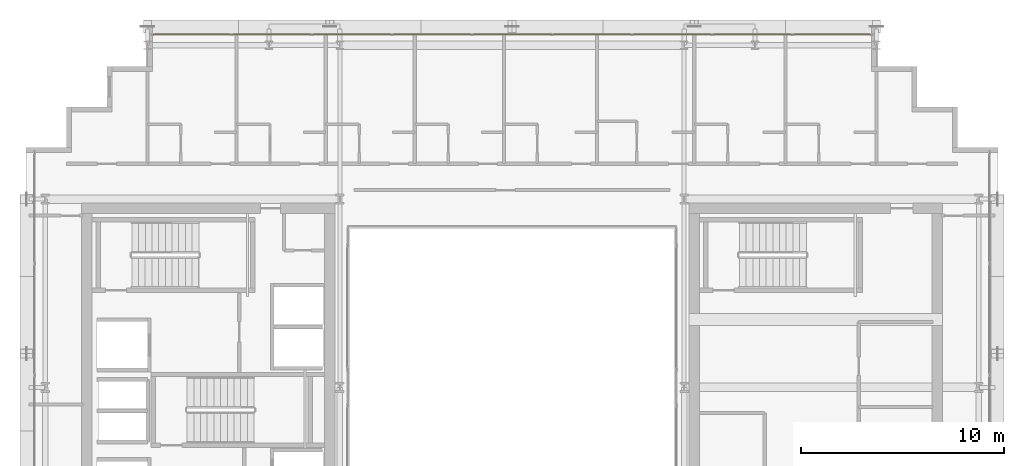
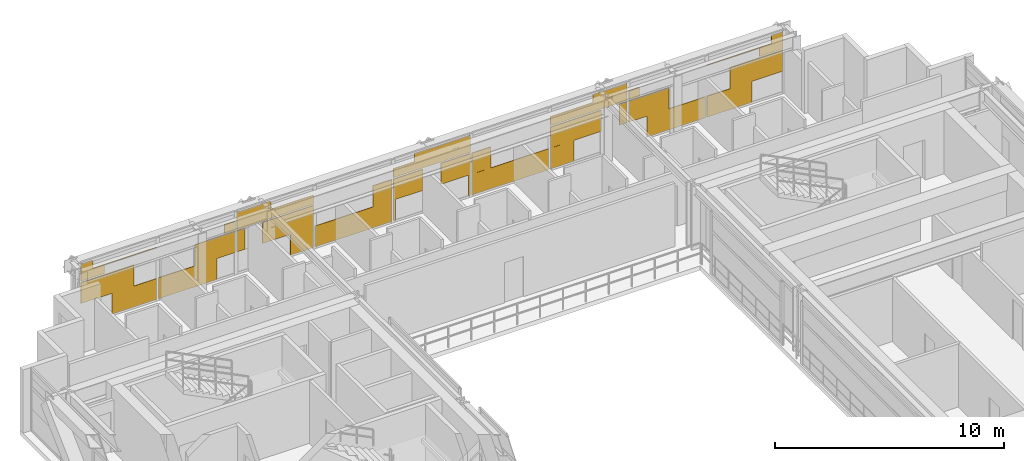
# One storey, part 38 of 38: 1 covering.
"""IFC4 building model written with IfcOpenShell, lengths in metres."""

import ifcopenshell
import ifcopenshell.guid

model = None  # the IFC model being written
_history = None  # IfcOwnerHistory: only IFC2X3 demands one
_inside = {}  # id of a spatial element -> (the spatial element, [elements in it])
_under = {}  # id of a project, library or spatial element -> (it, [spatial elements below it])
_declared = {}  # id of a project -> (the project, [libraries it declares])
_typed = {}  # id of a type object -> (the type object, [elements of that type])
_made_of = {}  # id of a material, layer set ... -> (it, [elements and type objects made of it])


def new_model(schema):
    """Start an empty IFC model of exactly this schema.

    Asked for "IFC4X3", IfcOpenShell would pick the latest addendum, in which some entities
    have other attributes; the version numbers below select the first issue.
    IFC2X3 requires an IfcOwnerHistory on every rooted entity: one is made here for all.
    """
    global model, _history
    if schema == "IFC4X3":
        model = ifcopenshell.file(schema_version=(4, 3, 0, 0))
    else:
        model = ifcopenshell.file(schema=schema)
    _inside.clear()
    _under.clear()
    _declared.clear()
    _typed.clear()
    _made_of.clear()
    _history = None
    if model.schema == "IFC2X3":
        org = make("IfcOrganization", Name="unknown")
        user = make(
            "IfcPersonAndOrganization",
            ThePerson=make("IfcPerson", FamilyName="unknown"),
            TheOrganization=org,
        )
        app = make(
            "IfcApplication",
            ApplicationDeveloper=org,
            Version="unknown",
            ApplicationFullName="unknown",
            ApplicationIdentifier="unknown",
        )
        _history = make(
            "IfcOwnerHistory",
            OwningUser=user,
            OwningApplication=app,
            ChangeAction="ADDED",
            CreationDate=0,
        )
    return model


def make(cls, **values):
    """One entity of the class cls with the attributes given. An attribute that is None is left unset."""
    return model.create_entity(
        cls, **{name: value for name, value in values.items() if value is not None}
    )


def rooted(cls, **values):
    """An entity with a GlobalId (a new one), such as an element, a storey or a relation."""
    return make(cls, GlobalId=ifcopenshell.guid.new(), OwnerHistory=_history, **values)


def si_unit(unit_type, name, prefix=None):
    """IfcSIUnit, for example si_unit("LENGTHUNIT", "METRE", prefix="MILLI")."""
    return make("IfcSIUnit", UnitType=unit_type, Prefix=prefix, Name=name)


def assignment(units):
    """IfcUnitAssignment: the units of a project."""
    return None if units is None else make("IfcUnitAssignment", Units=units)


def point(xyz):
    """IfcCartesianPoint."""
    return None if xyz is None else make("IfcCartesianPoint", Coordinates=xyz)


def direction(xyz):
    """IfcDirection."""
    return None if xyz is None else make("IfcDirection", DirectionRatios=xyz)


def frame(location, z_axis=None, x_axis=None):
    """IfcAxis2Placement3D, a coordinate frame: its origin and axes. An axis left out is left unset."""
    return make(
        "IfcAxis2Placement3D",
        Location=point(location),
        Axis=direction(z_axis),
        RefDirection=direction(x_axis),
    )


def frame_2d(location, x_axis=None):
    """IfcAxis2Placement2D, a coordinate frame in the plane: its origin and x axis."""
    return make(
        "IfcAxis2Placement2D", Location=point(location), RefDirection=direction(x_axis)
    )


def origin():
    """The frame at (0, 0, 0) with its axes left unset."""
    return frame((0.0, 0.0, 0.0))


def origin_2d():
    """The frame at (0, 0) in the plane with its x axis left unset."""
    return frame_2d((0.0, 0.0))


def place(relative_to, where):
    """IfcLocalPlacement: puts the frame where relative to a parent placement (None: the world)."""
    return make(
        "IfcLocalPlacement", PlacementRelTo=relative_to, RelativePlacement=where
    )


def context(
    kind, dimensions, precision=None, world=None, true_north=None, identifier=None
):
    """IfcGeometricRepresentationContext, for example the 3D "Model" context."""
    return make(
        "IfcGeometricRepresentationContext",
        ContextIdentifier=identifier,
        ContextType=kind,
        CoordinateSpaceDimension=dimensions,
        Precision=precision,
        WorldCoordinateSystem=world,
        TrueNorth=true_north,
    )


def subcontext(parent, identifier, kind, view, scale=None):
    """IfcGeometricRepresentationSubContext, for example "Body" below "Model"."""
    return make(
        "IfcGeometricRepresentationSubContext",
        ContextIdentifier=identifier,
        ContextType=kind,
        ParentContext=parent,
        TargetScale=scale,
        TargetView=view,
    )


def project(units=None, contexts=None):
    """IfcProject with its units and contexts."""
    return rooted(
        "IfcProject",
        Name="project",
        RepresentationContexts=contexts,
        UnitsInContext=assignment(units),
    )


def spatial(cls, under=None, at=None, **own):
    """A site, building, storey or space (cls), placed at a placement, below another one or the project."""
    s = rooted(cls, ObjectPlacement=at, **own)
    if under is not None:
        _under.setdefault(under.id(), (under, []))[1].append(s)
    return s


def profile(cls, at=None, kind="AREA", **sizes):
    """A parametric profile (cls). Its sizes go by their IFC names, for example OverallWidth=200.0."""
    return make(cls, ProfileType=kind, Position=at, **sizes)


def rectangle(**sizes):
    """IfcRectangleProfileDef."""
    return profile("IfcRectangleProfileDef", **sizes)


def extrude(swept, where, along, depth):
    """IfcExtrudedAreaSolid: the profile swept, set in the frame where, extruded along a direction by depth."""
    return make(
        "IfcExtrudedAreaSolid",
        SweptArea=swept,
        Position=where,
        ExtrudedDirection=direction(along),
        Depth=depth,
    )


def shape(context_of_items, identifier, shape_type, items):
    """IfcShapeRepresentation: the items that make up one representation, for example the "Body"."""
    return make(
        "IfcShapeRepresentation",
        ContextOfItems=context_of_items,
        RepresentationIdentifier=identifier,
        RepresentationType=shape_type,
        Items=items,
    )


def material(Name=None, Category=None):
    """IfcMaterial."""
    return make("IfcMaterial", Name=Name, Category=Category)


def layer(
    of_material, thickness, ventilated=None, Name=None, Category=None, Priority=None
):
    """IfcMaterialLayer: one layer of a wall or slab, of a material (None: an air gap)."""
    return make(
        "IfcMaterialLayer",
        Material=of_material,
        LayerThickness=thickness,
        IsVentilated=ventilated,
        Name=Name,
        Category=Category,
        Priority=Priority,
    )


def layer_set(layers, Name=None):
    """IfcMaterialLayerSet."""
    return make("IfcMaterialLayerSet", MaterialLayers=layers, LayerSetName=Name)


def made_of(thing, what):
    """Note that an element or type object is made of a material, layer set ...; save() writes the relation."""
    if what is not None:
        _made_of.setdefault(what.id(), (what, []))[1].append(thing)
    return thing


def type_object(cls, material=None, **own):
    """A type object (cls), such as IfcWallType, which elements share."""
    return made_of(rooted(cls, **own), material)


def element(
    cls,
    number,
    at=None,
    inside=None,
    cuts=None,
    type_object=None,
    material=None,
    context=None,
    identifier="Body",
    shape_type=None,
    held_by="IfcProductDefinitionShape",
    body=None,
    shapes=None,
    **own,
):
    """One element of the class cls, such as IfcWall. Its Tag is "e" and its number.

    at: its placement. inside: the storey or other place that contains it. cuts: it is an
    opening in that element (IfcRelVoidsElement). A single representation is given by context,
    identifier, shape_type and body (its items); several are given by shapes. held_by: the class
    of the entity that holds the representations. save() writes the other relations.
    """
    e = rooted(cls, Tag="e%d" % number, ObjectPlacement=at, **own)
    if body is not None:
        shapes = [shape(context, identifier, shape_type, body)]
    if shapes is not None:
        e.Representation = make(held_by, Representations=shapes)
    if inside is not None:
        _inside.setdefault(inside.id(), (inside, []))[1].append(e)
    if cuts is not None:
        rooted(
            "IfcRelVoidsElement", RelatingBuildingElement=cuts, RelatedOpeningElement=e
        )
    if type_object is not None:
        _typed.setdefault(type_object.id(), (type_object, []))[1].append(e)
    return made_of(e, material)


def aggregate(whole, parts):
    """IfcRelAggregates: a whole, such as a stair, and the parts it consists of."""
    return rooted("IfcRelAggregates", RelatingObject=whole, RelatedObjects=parts)


def save(model, path):
    """Write the relations noted so far, then the file.

    IfcRelAggregates (storeys below a building ...), IfcRelContainedInSpatialStructure (elements
    in a storey), IfcRelDefinesByType, IfcRelAssociatesMaterial and IfcRelDeclares: one each for
    every whole, place, type object, material and project.
    """
    for whole, parts in _under.values():
        aggregate(whole, parts)
    for where, things in _inside.values():
        rooted(
            "IfcRelContainedInSpatialStructure",
            RelatedElements=things,
            RelatingStructure=where,
        )
    for kind, things in _typed.values():
        rooted("IfcRelDefinesByType", RelatedObjects=things, RelatingType=kind)
    for what, things in _made_of.values():
        rooted("IfcRelAssociatesMaterial", RelatedObjects=things, RelatingMaterial=what)
    for by, libraries in _declared.values():
        rooted("IfcRelDeclares", RelatingContext=by, RelatedDefinitions=libraries)
    model.write(path)


model = new_model("IFC4")

# Units and contexts
model_context = context("Model", 3, precision=1e-05, world=origin(), true_north=direction((0.0, 1.0)))
body_context = subcontext(model_context, "Body", "Model", "MODEL_VIEW")
ifc_project = project(units=[si_unit("LENGTHUNIT", "METRE"), si_unit("AREAUNIT", "SQUARE_METRE"), si_unit("VOLUMEUNIT", "CUBIC_METRE"), si_unit("PLANEANGLEUNIT", "RADIAN"), si_unit("MASSUNIT", "GRAM", prefix="KILO")], contexts=[model_context])

# Site, building, storey
site_placement = place(None, origin())
site = spatial("IfcSite", under=ifc_project, at=site_placement, CompositionType="ELEMENT")
building_placement = place(site_placement, origin())
building = spatial("IfcBuilding", under=site, at=building_placement, Name="Ocotamira Hotel", CompositionType="ELEMENT")
storey_placement = place(building_placement, frame((0.0, 0.0, 170.39990234375)))
storey = spatial("IfcBuildingStorey", under=building, at=storey_placement, Name="L42", CompositionType="ELEMENT", Elevation=170.39990234375)

# Covering
ifc_material = material(Name="Insulated pale-metal aluminium spandrel panel", Category="aluminium")
ifc_layer = layer(ifc_material, 0.044921875)
ifc_layer_set = layer_set([ifc_layer], Name="Insulated pale-metal aluminium spandrel panel")
covering_type = type_object("IfcCoveringType", Name="COV-INFILL-45", PredefinedType="CLADDING", material=ifc_layer_set)
covering_placement = place(storey_placement, origin())
element("IfcCovering", 1, at=covering_placement, inside=storey, type_object=covering_type, Name="L42 Curtain Wall Infill CW-4 CW-L42-N", PredefinedType="CLADDING", context=body_context, shape_type="SweptSolid", body=[
    extrude(rectangle(XDim=2.68701171875, YDim=0.044921875, at=origin_2d()), frame((15.6240234375, 45.580078125, 1.1943359375), z_axis=(0.0, 0.0, 1.0), x_axis=(1.0, 0.0, 0.0)), (0.0, 0.0, 1.0), 1.117919921875),
    extrude(rectangle(XDim=2.26708984375, YDim=0.044921875, at=origin_2d()), frame((16.9814453125, 45.580078125, 0.07568359375), z_axis=(0.0, 0.0, 1.0), x_axis=(1.0, 0.0, 0.0)), (0.0, 0.0, 1.0), 1.117919921875),
    extrude(rectangle(XDim=1.19482421875, YDim=0.044921875, at=origin_2d()), frame((14.8779296875, 45.580078125, 2.38818359375), z_axis=(0.0, 0.0, 1.0), x_axis=(1.0, 0.0, 0.0)), (0.0, 0.0, 1.0), 0.442626953125),
    extrude(rectangle(XDim=3.834716796875, YDim=0.044921875, at=origin_2d()), frame((16.19775390625, 45.580078125, 2.83154296875), z_axis=(0.0, 0.0, 1.0), x_axis=(1.0, 0.0, 0.0)), (0.0, 0.0, 1.0), 0.0302734375),
    extrude(rectangle(XDim=0.601318359375, YDim=0.044921875, at=origin_2d()), frame((14.581298828125, 45.580078125, 2.863037109375), z_axis=(0.0, 0.0, 1.0), x_axis=(1.0, 0.0, 0.0)), (0.0, 0.0, 1.0), 0.431640625),
    extrude(rectangle(XDim=2.955810546875, YDim=0.044921875, at=origin_2d()), frame((19.674072265625, 45.580078125, 0.07568359375), z_axis=(0.0, 0.0, 1.0), x_axis=(1.0, 0.0, 0.0)), (0.0, 0.0, 1.0), 1.117919921875),
    extrude(rectangle(XDim=2.0380859375, YDim=0.044921875, at=origin_2d()), frame((21.051513671875, 45.580078125, 1.1943359375), z_axis=(0.0, 0.0, 1.0), x_axis=(1.0, 0.0, 0.0)), (0.0, 0.0, 1.0), 1.117919921875),
    extrude(rectangle(XDim=0.5458984375, YDim=0.044921875, at=origin_2d()), frame((21.797607421875, 45.580078125, 2.38818359375), z_axis=(0.0, 0.0, 1.0), x_axis=(1.0, 0.0, 0.0)), (0.0, 0.0, 1.0), 0.473876953125),
    extrude(rectangle(XDim=0.398681640625, YDim=0.044921875, at=origin_2d()), frame((22.35107421875, 45.580078125, 1.1943359375), z_axis=(0.0, 0.0, 1.0), x_axis=(1.0, 0.0, 0.0)), (0.0, 0.0, 1.0), 1.117919921875),
    extrude(rectangle(XDim=2.57666015625, YDim=0.044921875, at=origin_2d()), frame((24.73779296875, 45.580078125, 1.1943359375), z_axis=(0.0, 0.0, 1.0), x_axis=(1.0, 0.0, 0.0)), (0.0, 0.0, 1.0), 1.117919921875),
    extrude(rectangle(XDim=1.177978515625, YDim=0.044921875, at=origin_2d()), frame((25.43701171875, 45.580078125, 0.07568359375), z_axis=(0.0, 0.0, 1.0), x_axis=(1.0, 0.0, 0.0)), (0.0, 0.0, 1.0), 1.117919921875),
    extrude(rectangle(XDim=3.87451171875, YDim=0.044921875, at=origin_2d()), frame((24.0888671875, 45.580078125, 2.38818359375), z_axis=(0.0, 0.0, 1.0), x_axis=(1.0, 0.0, 0.0)), (0.0, 0.0, 1.0), 0.473876953125),
    extrude(rectangle(XDim=1.730224609375, YDim=0.044921875, at=origin_2d()), frame((23.0166015625, 45.580078125, 2.863037109375), z_axis=(0.0, 0.0, 1.0), x_axis=(1.0, 0.0, 0.0)), (0.0, 0.0, 1.0), 0.431640625),
    extrude(rectangle(XDim=3.87451171875, YDim=0.044921875, at=origin_2d()), frame((28.04443359375, 45.580078125, 0.07568359375), z_axis=(0.0, 0.0, 1.0), x_axis=(1.0, 0.0, 0.0)), (0.0, 0.0, 1.0), 1.117919921875),
    extrude(rectangle(XDim=0.94921875, YDim=0.044921875, at=origin_2d()), frame((29.507080078125, 45.580078125, 1.1943359375), z_axis=(0.0, 0.0, 1.0), x_axis=(1.0, 0.0, 0.0)), (0.0, 0.0, 1.0), 1.117919921875),
    extrude(rectangle(XDim=0.089111328125, YDim=0.044921875, at=origin_2d()), frame((30.107421875, 45.580078125, 0.07568359375), z_axis=(0.0, 0.0, 1.0), x_axis=(1.0, 0.0, 0.0)), (0.0, 0.0, 1.0), 1.117919921875),
    extrude(rectangle(XDim=1.48779296875, YDim=0.044921875, at=origin_2d()), frame((30.806640625, 45.580078125, 1.1943359375), z_axis=(0.0, 0.0, 1.0), x_axis=(1.0, 0.0, 0.0)), (0.0, 0.0, 1.0), 1.117919921875),
    extrude(rectangle(XDim=1.48779296875, YDim=0.044921875, at=origin_2d()), frame((33.193359375, 45.580078125, 1.1943359375), z_axis=(0.0, 0.0, 1.0), x_axis=(1.0, 0.0, 0.0)), (0.0, 0.0, 1.0), 1.117919921875),
    extrude(rectangle(XDim=0.089111328125, YDim=0.044921875, at=origin_2d()), frame((33.892578125, 45.580078125, 0.07568359375), z_axis=(0.0, 0.0, 1.0), x_axis=(1.0, 0.0, 0.0)), (0.0, 0.0, 1.0), 1.117919921875),
    extrude(rectangle(XDim=3.87451171875, YDim=0.044921875, at=origin_2d()), frame((32.0, 45.580078125, 2.38818359375), z_axis=(0.0, 0.0, 1.0), x_axis=(1.0, 0.0, 0.0)), (0.0, 0.0, 1.0), 0.473876953125),
    extrude(rectangle(XDim=2.819091796875, YDim=0.044921875, at=origin_2d()), frame((32.527587890625, 45.580078125, 2.863037109375), z_axis=(0.0, 0.0, 1.0), x_axis=(1.0, 0.0, 0.0)), (0.0, 0.0, 1.0), 0.431640625),
    extrude(rectangle(XDim=3.87451171875, YDim=0.044921875, at=origin_2d()), frame((35.95556640625, 45.580078125, 0.07568359375), z_axis=(0.0, 0.0, 1.0), x_axis=(1.0, 0.0, 0.0)), (0.0, 0.0, 1.0), 1.117919921875),
    extrude(rectangle(XDim=0.94921875, YDim=0.044921875, at=origin_2d()), frame((34.492919921875, 45.580078125, 1.1943359375), z_axis=(0.0, 0.0, 1.0), x_axis=(1.0, 0.0, 0.0)), (0.0, 0.0, 1.0), 1.117919921875),
    extrude(rectangle(XDim=1.177978515625, YDim=0.044921875, at=origin_2d()), frame((38.56298828125, 45.580078125, 0.07568359375), z_axis=(0.0, 0.0, 1.0), x_axis=(1.0, 0.0, 0.0)), (0.0, 0.0, 1.0), 1.117919921875),
    extrude(rectangle(XDim=2.57666015625, YDim=0.044921875, at=origin_2d()), frame((39.26220703125, 45.580078125, 1.1943359375), z_axis=(0.0, 0.0, 1.0), x_axis=(1.0, 0.0, 0.0)), (0.0, 0.0, 1.0), 1.117919921875),
    extrude(rectangle(XDim=0.398681640625, YDim=0.044921875, at=origin_2d()), frame((41.64892578125, 45.580078125, 1.1943359375), z_axis=(0.0, 0.0, 1.0), x_axis=(1.0, 0.0, 0.0)), (0.0, 0.0, 1.0), 1.117919921875),
    extrude(rectangle(XDim=3.87451171875, YDim=0.044921875, at=origin_2d()), frame((39.9111328125, 45.580078125, 2.38818359375), z_axis=(0.0, 0.0, 1.0), x_axis=(1.0, 0.0, 0.0)), (0.0, 0.0, 1.0), 0.473876953125),
    extrude(rectangle(XDim=1.730224609375, YDim=0.044921875, at=origin_2d()), frame((40.9833984375, 45.580078125, 2.863037109375), z_axis=(0.0, 0.0, 1.0), x_axis=(1.0, 0.0, 0.0)), (0.0, 0.0, 1.0), 0.431640625),
    extrude(rectangle(XDim=2.0380859375, YDim=0.044921875, at=origin_2d()), frame((42.948486328125, 45.580078125, 1.1943359375), z_axis=(0.0, 0.0, 1.0), x_axis=(1.0, 0.0, 0.0)), (0.0, 0.0, 1.0), 1.117919921875),
    extrude(rectangle(XDim=2.955810546875, YDim=0.044921875, at=origin_2d()), frame((44.325927734375, 45.580078125, 0.07568359375), z_axis=(0.0, 0.0, 1.0), x_axis=(1.0, 0.0, 0.0)), (0.0, 0.0, 1.0), 1.117919921875),
    extrude(rectangle(XDim=0.5458984375, YDim=0.044921875, at=origin_2d()), frame((42.202392578125, 45.580078125, 2.38818359375), z_axis=(0.0, 0.0, 1.0), x_axis=(1.0, 0.0, 0.0)), (0.0, 0.0, 1.0), 0.473876953125),
    extrude(rectangle(XDim=2.26708984375, YDim=0.044921875, at=origin_2d()), frame((47.0185546875, 45.580078125, 0.07568359375), z_axis=(0.0, 0.0, 1.0), x_axis=(1.0, 0.0, 0.0)), (0.0, 0.0, 1.0), 1.117919921875),
    extrude(rectangle(XDim=2.68701171875, YDim=0.044921875, at=origin_2d()), frame((48.3759765625, 45.580078125, 1.1943359375), z_axis=(0.0, 0.0, 1.0), x_axis=(1.0, 0.0, 0.0)), (0.0, 0.0, 1.0), 1.117919921875),
    extrude(rectangle(XDim=3.834716796875, YDim=0.044921875, at=origin_2d()), frame((47.80224609375, 45.580078125, 2.83154296875), z_axis=(0.0, 0.0, 1.0), x_axis=(1.0, 0.0, 0.0)), (0.0, 0.0, 1.0), 0.0302734375),
    extrude(rectangle(XDim=1.19482421875, YDim=0.044921875, at=origin_2d()), frame((49.1220703125, 45.580078125, 2.38818359375), z_axis=(0.0, 0.0, 1.0), x_axis=(1.0, 0.0, 0.0)), (0.0, 0.0, 1.0), 0.442626953125),
    extrude(rectangle(XDim=0.601318359375, YDim=0.044921875, at=origin_2d()), frame((49.418701171875, 45.580078125, 2.863037109375), z_axis=(0.0, 0.0, 1.0), x_axis=(1.0, 0.0, 0.0)), (0.0, 0.0, 1.0), 0.431640625),
])

save(model, "model.ifc")
